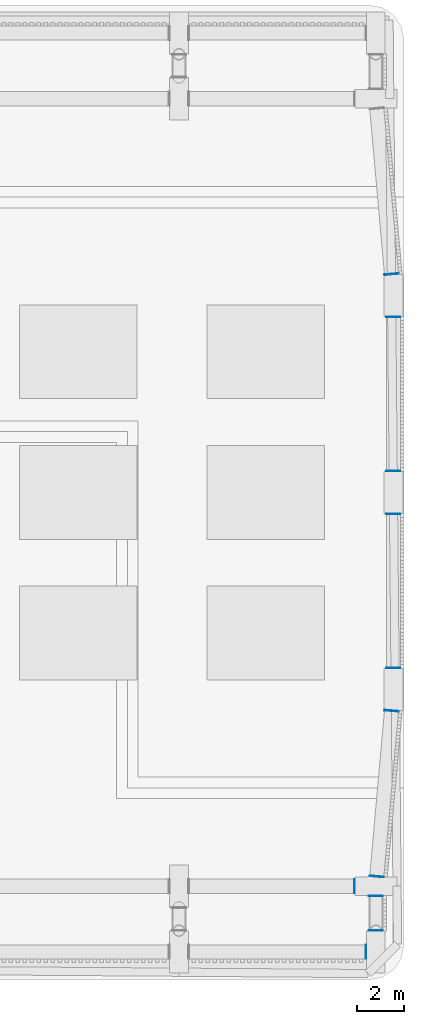
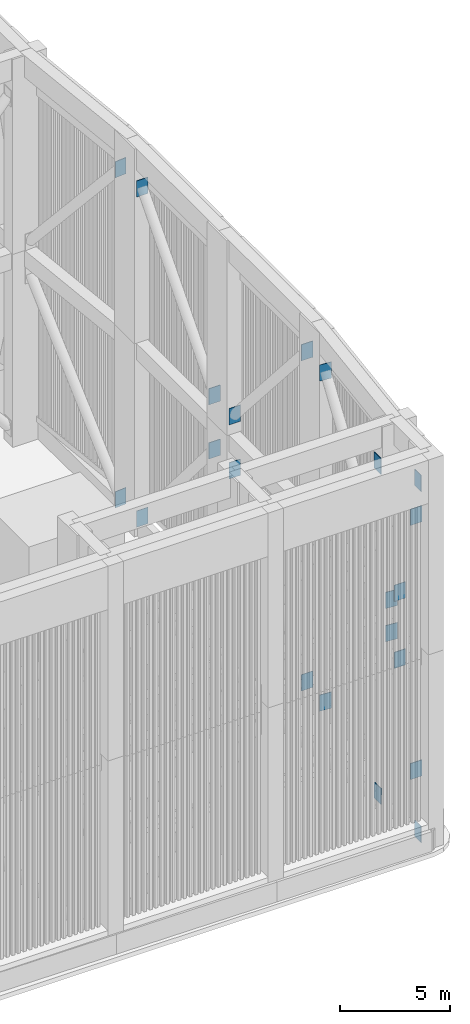
# One storey, part 6 of 27: 22 discrete accessories.
"""IFC4 building model written with IfcOpenShell, lengths in metres."""

from ifc_helpers import new_model, si_unit, direction, frame, origin, origin_2d, place, context, subcontext, project, spatial, rectangle, extrude, material, layer, layer_set, type_object, element, save


model = new_model("IFC4")

# Units and contexts
model_context = context("Model", 3, precision=1e-05, world=origin(), true_north=direction((0.0, 1.0)))
body_context = subcontext(model_context, "Body", "Model", "MODEL_VIEW")
ifc_project = project(units=[si_unit("LENGTHUNIT", "METRE"), si_unit("AREAUNIT", "SQUARE_METRE"), si_unit("VOLUMEUNIT", "CUBIC_METRE"), si_unit("PLANEANGLEUNIT", "RADIAN"), si_unit("MASSUNIT", "GRAM", prefix="KILO")], contexts=[model_context])

# Site, building, storey
site_placement = place(None, origin())
site = spatial("IfcSite", under=ifc_project, at=site_placement, CompositionType="ELEMENT")
building_placement = place(site_placement, origin())
building = spatial("IfcBuilding", under=site, at=building_placement, Name="Claustro Exchange Tower", CompositionType="ELEMENT")
storey_placement = place(building_placement, frame((0.0, 0.0, 287.10009765625)))
storey = spatial("IfcBuildingStorey", under=building, at=storey_placement, Name="ROOF", CompositionType="ELEMENT", Elevation=287.10009765625)

# Discrete accessories
ifc_material = material(Name="Steel S355", Category="steel")
ifc_layer = layer(ifc_material, 0.030029296875)
ifc_layer_set = layer_set([ifc_layer], Name="Steel S355")
discrete_accessory_type = type_object("IfcDiscreteAccessoryType", Name="CF7 30 x 600 x 900 crown frame brace end plate", PredefinedType="ANCHORPLATE", material=ifc_layer_set)
for number, where, z_axis, x_axis, name in (
    (1, (49.985107421875, 5.60009765625, 0.02734375), (0.0, 0.0, 1.0), (-1.0, 0.0, 0.0), "CROWN FRAME brace end plate CF7 lower"),
    (2, (50.39990234375, 6.514892578125, 2.749755859375), (0.0, 0.0, 1.0), (0.0, 1.0, 0.0), "CROWN FRAME brace end plate CF7 lower"),
    (3, (50.39990234375, 7.985107421875, 8.01806640625), (0.0, 0.0, 1.0), (0.0, 1.0, 0.0), "CROWN FRAME brace end plate CF7 lower"),
    (4, (51.068359375, 15.885009765625, 0.616455078125), (0.0, 0.0, 1.0), (-0.088932542032, -0.996037651381, 0.0), "CROWN FRAME brace end plate CF7 lower"),
    (5, (50.43701171875, 8.81494140625, 8.97265625), (0.0, 0.0, 1.0), (-0.088932542032, -0.996037651381, 0.0), "CROWN FRAME brace end plate CF7 lower"),
    (6, (51.14990234375, 17.715087890625, 0.616455078125), (0.0, 0.0, 1.0), (0.0, 1.0, 0.0), "CROWN FRAME brace end plate CF7 lower"),
    (7, (51.14990234375, 24.284912109375, 8.38330078125), (0.0, 0.0, 1.0), (0.0, 1.0, 0.0), "CROWN FRAME brace end plate CF7 lower"),
    (8, (51.14990234375, 32.68505859375, 0.616455078125), (0.0, 0.0, 1.0), (0.0, -1.0, 0.0), "CROWN FRAME brace end plate CF7 lower"),
    (9, (51.14990234375, 26.114990234375, 8.38330078125), (0.0, 0.0, 1.0), (0.0, -1.0, 0.0), "CROWN FRAME brace end plate CF7 lower"),
    (10, (51.068359375, 34.514892578125, 0.616455078125), (0.0, 0.0, 1.0), (-0.088932542032, 0.996037651381, 0.0), "CROWN FRAME brace end plate CF7 lower"),
    (11, (49.485107421875, 8.39990234375, 0.616455078125), (0.0, 0.0, 1.0), (-1.0, 0.0, 0.0), "CROWN FRAME brace end plate CF7 lower"),
    (12, (49.985107421875, 5.60009765625, 19.487060546875), (0.0, 0.0, 1.0), (1.0, 0.0, 0.0), "CROWN FRAME brace end plate CF7 upper"),
    (13, (50.39990234375, 7.985107421875, 11.738525390625), (0.0, 0.0, 1.0), (0.0, -1.0, 0.0), "CROWN FRAME brace end plate CF7 upper"),
    (14, (50.39990234375, 6.514892578125, 16.84716796875), (0.0, 0.0, 1.0), (0.0, -1.0, 0.0), "CROWN FRAME brace end plate CF7 upper"),
    (15, (50.43701171875, 8.81494140625, 10.812744140625), (0.0, 0.0, 1.0), (0.088932542032, 0.996037651381, 0.0), "CROWN FRAME brace end plate CF7 upper"),
    (16, (51.068359375, 15.885009765625, 18.915771484375), (0.0, 0.0, 1.0), (0.088932542032, 0.996037651381, 0.0), "CROWN FRAME brace end plate CF7 upper"),
    (17, (51.14990234375, 24.284912109375, 11.38427734375), (0.0, 0.0, 1.0), (0.0, -1.0, 0.0), "CROWN FRAME brace end plate CF7 upper"),
    (18, (51.14990234375, 17.715087890625, 18.915771484375), (0.0, 0.0, 1.0), (0.0, -1.0, 0.0), "CROWN FRAME brace end plate CF7 upper"),
    (19, (51.14990234375, 26.114990234375, 11.38427734375), (0.0, 0.0, 1.0), (0.0, 1.0, 0.0), "CROWN FRAME brace end plate CF7 upper"),
    (20, (51.14990234375, 32.68505859375, 18.915771484375), (0.0, 0.0, 1.0), (0.0, 1.0, 0.0), "CROWN FRAME brace end plate CF7 upper"),
    (21, (51.068359375, 34.514892578125, 18.915771484375), (0.0, 0.0, 1.0), (0.088932542032, -0.996037651381, 0.0), "CROWN FRAME brace end plate CF7 upper"),
    (22, (49.485107421875, 8.39990234375, 18.915771484375), (0.0, 0.0, 1.0), (1.0, 0.0, 0.0), "CROWN FRAME brace end plate CF7 upper"),
):
    element("IfcDiscreteAccessory", number, at=place(storey_placement, frame(where, z_axis=z_axis, x_axis=x_axis)), inside=storey, type_object=discrete_accessory_type, Name=name, PredefinedType="ANCHORPLATE", context=body_context, shape_type="SweptSolid", body=[
        extrude(rectangle(XDim=0.030029296875, YDim=0.60009765625, at=origin_2d()), origin(), (0.0, 0.0, 1.0), 0.89990234375),
    ])

save(model, "model.ifc")
